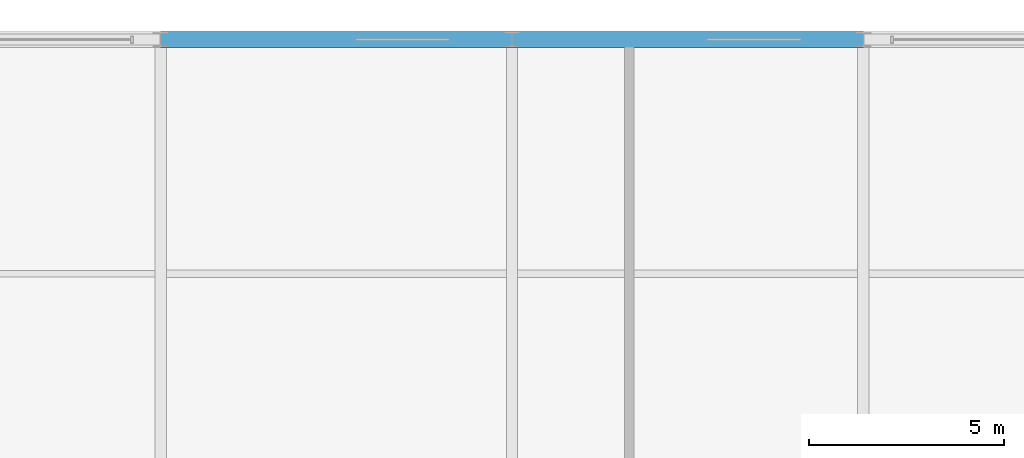
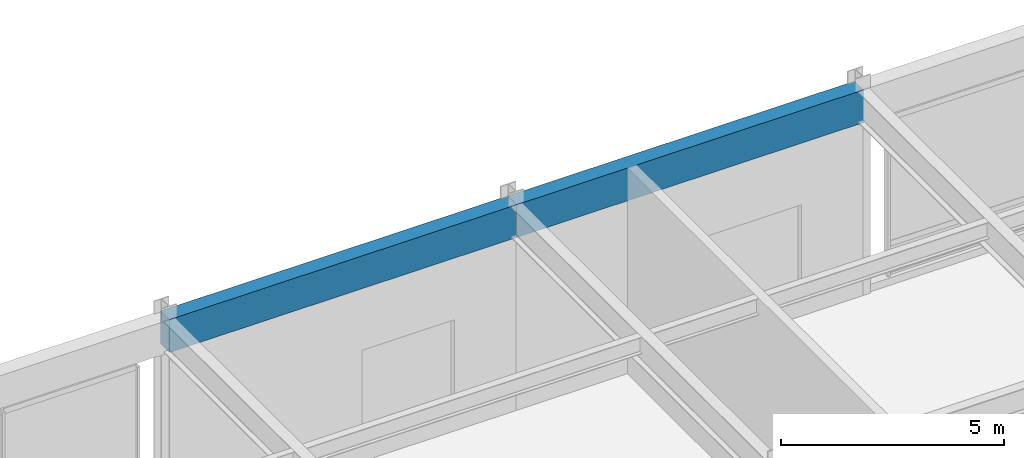
# One storey, part 78 of 108: 2 beams.
"""IFC4 building model written with IfcOpenShell, lengths in metres."""

from ifc_helpers import new_model, si_unit, direction, frame, origin, origin_2d, place, context, subcontext, project, spatial, rectangle, extrude, material, material_profile, profile_set, type_object, element, save


model = new_model("IFC4")

# Units and contexts
model_context = context("Model", 3, precision=1e-05, world=origin(), true_north=direction((0.0, 1.0)))
body_context = subcontext(model_context, "Body", "Model", "MODEL_VIEW")
ifc_project = project(units=[si_unit("LENGTHUNIT", "METRE"), si_unit("AREAUNIT", "SQUARE_METRE"), si_unit("VOLUMEUNIT", "CUBIC_METRE"), si_unit("PLANEANGLEUNIT", "RADIAN"), si_unit("MASSUNIT", "GRAM", prefix="KILO")], contexts=[model_context])

# Site, building, storey
site_placement = place(None, origin())
site = spatial("IfcSite", under=ifc_project, at=site_placement, CompositionType="ELEMENT")
building_placement = place(site_placement, origin())
building = spatial("IfcBuilding", under=site, at=building_placement, Name="Kaldorvane Square Convention Centre", CompositionType="ELEMENT")
storey_placement = place(building_placement, frame((0.0, 0.0, 12.0)))
storey = spatial("IfcBuildingStorey", under=building, at=storey_placement, Name="L02", CompositionType="ELEMENT", Elevation=12.0)

# Beams
ifc_material = material(Name="Concrete f'c = 42 MPa (Normalweight)", Category="concrete")
ifc_material_profile = material_profile(ifc_material, rectangle(XDim=0.399993896484375, YDim=0.899993896484375, at=origin_2d()), Name="RCSP900X400")
ifc_profile_set = profile_set([ifc_material_profile], Name="Concrete f'c = 42 MPa (Normalweight)")
beam_type = type_object("IfcBeamType", Name="BM-SP-RC900", PredefinedType="SPANDREL", material=ifc_profile_set)
for number, where, z_axis, x_axis, name in (
    (1, (138.0, 117.0, 5.1959991455078125), (1.0, 0.0, 0.0), (0.0, 1.0, 0.0), "Perimeter Spandrel (L02)"),
    (2, (147.0, 117.0, 5.1959991455078125), (1.0, 0.0, 0.0), (0.0, 1.0, 0.0), "Perimeter Spandrel (L02)"),
):
    element("IfcBeam", number, at=place(storey_placement, frame(where, z_axis=z_axis, x_axis=x_axis)), inside=storey, type_object=beam_type, Name=name, PredefinedType="SPANDREL", context=body_context, shape_type="SweptSolid", body=[
        extrude(rectangle(XDim=0.399993896484375, YDim=0.899993896484375, at=origin_2d()), origin(), (0.0, 0.0, 1.0), 9.0),
    ])

save(model, "model.ifc")
